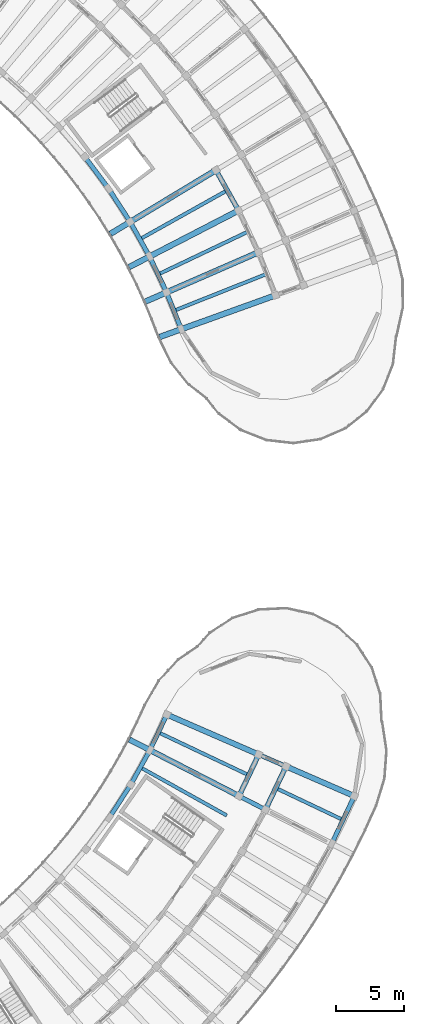
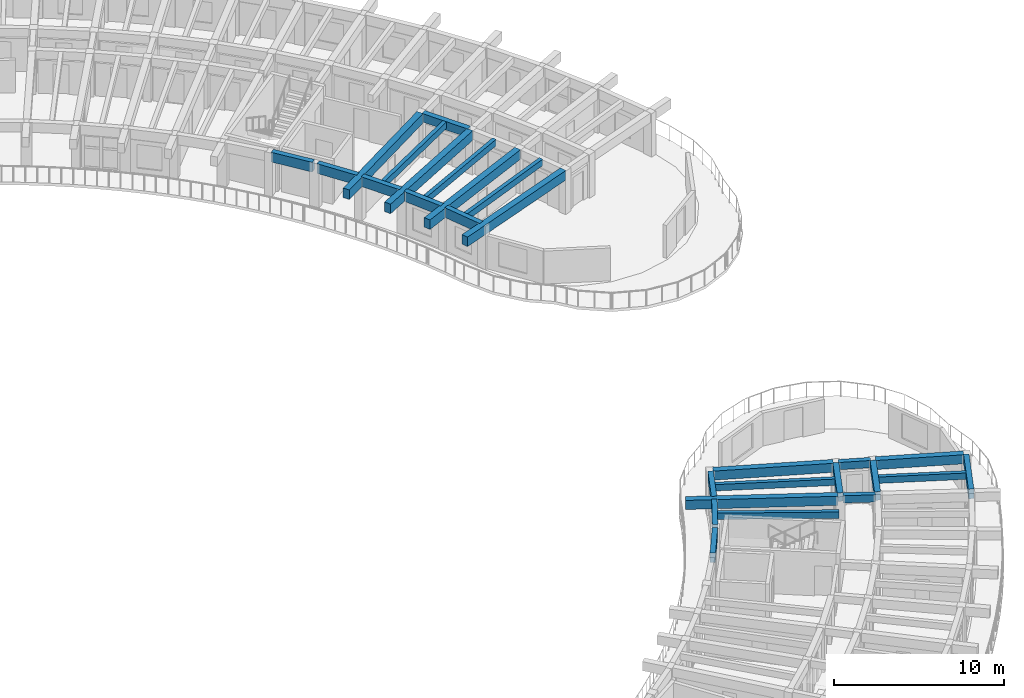
# One storey, part 25 of 83: 27 beams.
"""IFC4 building model written with IfcOpenShell, lengths in metres."""

from ifc_helpers import new_model, si_unit, direction, frame, origin, origin_2d, place, context, subcontext, project, spatial, rectangle, extrude, material, material_profile, profile_set, type_object, element, save


model = new_model("IFC4")

# Units and contexts
model_context = context("Model", 3, precision=1e-05, world=origin(), true_north=direction((0.0, 1.0)))
body_context = subcontext(model_context, "Body", "Model", "MODEL_VIEW")
ifc_project = project(units=[si_unit("LENGTHUNIT", "METRE"), si_unit("AREAUNIT", "SQUARE_METRE"), si_unit("VOLUMEUNIT", "CUBIC_METRE"), si_unit("PLANEANGLEUNIT", "RADIAN"), si_unit("MASSUNIT", "GRAM", prefix="KILO")], contexts=[model_context])

# Site, building, storey
site_placement = place(None, origin())
site = spatial("IfcSite", under=ifc_project, at=site_placement, CompositionType="ELEMENT")
building_placement = place(site_placement, origin())
building = spatial("IfcBuilding", under=site, at=building_placement, Name="Tanwirah Colonnade Gardens", CompositionType="ELEMENT")
storey_placement = place(building_placement, frame((0.0, 0.0, 25.639892578125)))
storey = spatial("IfcBuildingStorey", under=building, at=storey_placement, Name="L07", CompositionType="ELEMENT", Elevation=25.639892578125)

# Beams
ifc_material_1 = material(Name="Precast concrete C40/50", Category="concrete")
ifc_material_profile_1 = material_profile(ifc_material_1, rectangle(XDim=0.360107421875, YDim=0.610107421875, at=origin_2d()), Name="PC-BM 360x610")
ifc_profile_set_1 = profile_set([ifc_material_profile_1], Name="Precast concrete C40/50")
beam_type_1 = type_object("IfcBeamType", Name="BM-PC300", PredefinedType="BEAM", material=ifc_profile_set_1)
beam_1_placement = place(storey_placement, frame((167.159912109375, 40.894775390625, 2.80517578125), z_axis=(0.428520598641, 0.903532011907, 0.0), x_axis=(-0.903532011907, 0.428520598641, 0.0)))
element("IfcBeam", 1, at=beam_1_placement, inside=storey, type_object=beam_type_1, Name="Block D L07 Circumferential Beam 13-R1", PredefinedType="BEAM", context=body_context, shape_type="SweptSolid", body=[
    extrude(rectangle(XDim=0.360107421875, YDim=0.610107421875, at=origin_2d()), origin(), (0.0, 0.0, 1.0), 3.093017578125),
])
beam_2_placement = place(storey_placement, frame((169.11572265625, 39.887451171875, 2.80517578125), z_axis=(0.428562893949, 0.903511951183, 0.0), x_axis=(-0.903511951183, 0.428562893949, 0.0)))
element("IfcBeam", 2, at=beam_2_placement, inside=storey, type_object=beam_type_1, Name="Block D L07 Circumferential Beam 13-R2", PredefinedType="BEAM", context=body_context, shape_type="SweptSolid", body=[
    extrude(rectangle(XDim=0.360107421875, YDim=0.610107421875, at=origin_2d()), origin(), (0.0, 0.0, 1.0), 3.23681640625),
])
ifc_material_profile_2 = material_profile(ifc_material_1, rectangle(XDim=0.320068359375, YDim=0.52001953125, at=origin_2d()), Name="PC-BM 320x520")
ifc_profile_set_2 = profile_set([ifc_material_profile_2], Name="Precast concrete C40/50")
beam_type_2 = type_object("IfcBeamType", Name="BM-PC320", PredefinedType="BEAM", material=ifc_profile_set_2)
beam_3_placement = place(storey_placement, frame((167.22900390625, 40.690673828125, 2.85009765625), z_axis=(0.888965044602, -0.457975053334, 0.0), x_axis=(0.457975053334, 0.888965044602, 0.0)))
element("IfcBeam", 3, at=beam_3_placement, inside=storey, type_object=beam_type_2, Name="Block D L07 Corridor Tie Beam 13", PredefinedType="BEAM", context=body_context, shape_type="SweptSolid", body=[
    extrude(rectangle(XDim=0.320068359375, YDim=0.52001953125, at=origin_2d()), origin(), (0.0, 0.0, 1.0), 1.89990234375),
])
beam_4_placement = place(storey_placement, frame((168.68701171875, 43.76513671875, 2.85009765625), z_axis=(0.917025109963, -0.398829471952, 0.0), x_axis=(0.398829471952, 0.917025109963, 0.0)))
element("IfcBeam", 4, at=beam_4_placement, inside=storey, type_object=beam_type_2, Name="Block D L07 Corridor Tie Beam 14", PredefinedType="BEAM", context=body_context, shape_type="SweptSolid", body=[
    extrude(rectangle(XDim=0.320068359375, YDim=0.52001953125, at=origin_2d()), origin(), (0.0, 0.0, 1.0), 1.900146484375),
])
ifc_material_profile_3 = material_profile(ifc_material_1, rectangle(XDim=0.35009765625, YDim=0.60009765625, at=origin_2d()), Name="PC-BM 350x600")
ifc_profile_set_3 = profile_set([ifc_material_profile_3], Name="Precast concrete C40/50")
beam_type_3 = type_object("IfcBeamType", Name="BM-PC350B", PredefinedType="BEAM", material=ifc_profile_set_3)
beam_5_placement = place(storey_placement, frame((166.98779296875, 84.138671875, 2.81005859375), z_axis=(-0.488200372352, 0.872731571811, 0.0), x_axis=(-0.872731571811, -0.488200372352, 0.0)))
element("IfcBeam", 5, at=beam_5_placement, inside=storey, type_object=beam_type_3, Name="Block B L07 Circumferential Beam 3-R1", PredefinedType="BEAM", context=body_context, shape_type="SweptSolid", body=[
    extrude(rectangle(XDim=0.35009765625, YDim=0.60009765625, at=origin_2d()), origin(), (0.0, 0.0, 1.0), 3.117919921875),
])
ifc_material_2 = material(Name="Precast concrete C45/55", Category="concrete")
ifc_material_profile_4 = material_profile(ifc_material_2, rectangle(XDim=0.39990234375, YDim=0.64990234375, at=origin_2d()), Name="PC-BM 400x650")
ifc_profile_set_4 = profile_set([ifc_material_profile_4], Name="Precast concrete C45/55")
beam_type_4 = type_object("IfcBeamType", Name="BM-PC400", PredefinedType="BEAM", material=ifc_profile_set_4)
beam_6_placement = place(storey_placement, frame((166.962158203125, 40.827880859375, 2.78515625), z_axis=(-0.889022337846, 0.457863825619, 0.0), x_axis=(-0.457863825619, -0.889022337846, 0.0)))
element("IfcBeam", 6, at=beam_6_placement, inside=storey, type_object=beam_type_4, Name="Block D L07 Inner Radial Precast Girder 13", PredefinedType="BEAM", context=body_context, shape_type="SweptSolid", body=[
    extrude(rectangle(XDim=0.39990234375, YDim=0.64990234375, at=origin_2d()), origin(), (0.0, 0.0, 1.0), 8.949951171875),
])
beam_7_placement = place(storey_placement, frame((168.412109375, 43.884765625, 2.78515625), z_axis=(-0.917065682823, 0.398736170154, 0.0), x_axis=(-0.398736170154, -0.917065682823, 0.0)))
element("IfcBeam", 7, at=beam_7_placement, inside=storey, type_object=beam_type_4, Name="Block D L07 Inner Radial Precast Girder 14", PredefinedType="BEAM", context=body_context, shape_type="SweptSolid", body=[
    extrude(rectangle(XDim=0.39990234375, YDim=0.64990234375, at=origin_2d()), origin(), (0.0, 0.0, 1.0), 7.10009765625),
])
beam_8_placement = place(storey_placement, frame((170.70458984375, 42.8876953125, 2.78515625), z_axis=(0.917063338398, -0.398741562126, 0.0), x_axis=(0.398741562126, 0.917063338398, 0.0)))
element("IfcBeam", 8, at=beam_8_placement, inside=storey, type_object=beam_type_4, Name="Block D L07 Outer Radial Precast Girder 14", PredefinedType="BEAM", context=body_context, shape_type="SweptSolid", body=[
    extrude(rectangle(XDim=0.39990234375, YDim=0.64990234375, at=origin_2d()), origin(), (0.0, 0.0, 1.0), 5.2001953125),
])
ifc_material_profile_5 = material_profile(ifc_material_2, rectangle(XDim=0.419921875, YDim=0.679931640625, at=origin_2d()), Name="PC-BM 420x680")
ifc_profile_set_5 = profile_set([ifc_material_profile_5], Name="Precast concrete C45/55")
beam_type_5 = type_object("IfcBeamType", Name="BM-PC420", PredefinedType="BEAM", material=ifc_profile_set_5)
beam_9_placement = place(storey_placement, frame((169.650390625, 77.69384765625, 2.77001953125), z_axis=(-0.941017049702, -0.338359146723, 0.0), x_axis=(0.338359146723, -0.941017049702, 0.0)))
element("IfcBeam", 9, at=beam_9_placement, inside=storey, type_object=beam_type_5, Name="Block B L07 Inner Radial Precast Girder 1", PredefinedType="BEAM", context=body_context, shape_type="SweptSolid", body=[
    extrude(rectangle(XDim=0.419921875, YDim=0.679931640625, at=origin_2d()), origin(), (0.0, 0.0, 1.0), 8.949951171875),
])
beam_10_placement = place(storey_placement, frame((168.39208984375, 80.861328125, 2.77001953125), z_axis=(-0.916669317869, -0.399646545934, 0.0), x_axis=(0.399646545934, -0.916669317869, 0.0)))
element("IfcBeam", 10, at=beam_10_placement, inside=storey, type_object=beam_type_5, Name="Block B L07 Inner Radial Precast Girder 2", PredefinedType="BEAM", context=body_context, shape_type="SweptSolid", body=[
    extrude(rectangle(XDim=0.419921875, YDim=0.679931640625, at=origin_2d()), origin(), (0.0, 0.0, 1.0), 8.9501953125),
])
beam_11_placement = place(storey_placement, frame((166.927734375, 83.93896484375, 2.77001953125), z_axis=(-0.888345427876, -0.459175784175, 0.0), x_axis=(0.459175784175, -0.888345427876, 0.0)))
element("IfcBeam", 11, at=beam_11_placement, inside=storey, type_object=beam_type_5, Name="Block B L07 Inner Radial Precast Girder 3", PredefinedType="BEAM", context=body_context, shape_type="SweptSolid", body=[
    extrude(rectangle(XDim=0.419921875, YDim=0.679931640625, at=origin_2d()), origin(), (0.0, 0.0, 1.0), 8.949951171875),
])
beam_12_placement = place(storey_placement, frame((165.263916015625, 86.913330078125, 2.77001953125), z_axis=(-0.856168728297, -0.516696340887, 0.0), x_axis=(0.516696340887, -0.856168728297, 0.0)))
element("IfcBeam", 12, at=beam_12_placement, inside=storey, type_object=beam_type_5, Name="Block B L07 Inner Radial Precast Girder 4", PredefinedType="BEAM", context=body_context, shape_type="SweptSolid", body=[
    extrude(rectangle(XDim=0.419921875, YDim=0.679931640625, at=origin_2d()), origin(), (0.0, 0.0, 1.0), 8.9501953125),
])
ifc_material_profile_6 = material_profile(ifc_material_1, rectangle(XDim=0.2548828125, YDim=0.455078125, at=origin_2d()), Name="PC-JST 255x455")
ifc_profile_set_6 = profile_set([ifc_material_profile_6], Name="Precast concrete C40/50")
beam_type_6 = type_object("IfcBeamType", Name="JST-PC240", PredefinedType="JOIST", material=ifc_profile_set_6)
beam_13_placement = place(storey_placement, frame((159.9345703125, 42.80712890625, 2.882568359375), z_axis=(0.873559899034, -0.486716655561, 0.0), x_axis=(0.486716655561, 0.873559899034, 0.0)))
element("IfcBeam", 13, at=beam_13_placement, inside=storey, type_object=beam_type_6, Name="Block D L07 Inner Precast Floor Joist 12", PredefinedType="JOIST", context=body_context, shape_type="SweptSolid", body=[
    extrude(rectangle(XDim=0.2548828125, YDim=0.455078125, at=origin_2d()), origin(), (0.0, 0.0, 1.0), 7.159912109375),
])
beam_14_placement = place(storey_placement, frame((169.94384765625, 41.285888671875, 2.882568359375), z_axis=(0.903517509842, -0.428551174785, 0.0), x_axis=(0.428551174785, 0.903517509842, 0.0)))
element("IfcBeam", 14, at=beam_14_placement, inside=storey, type_object=beam_type_6, Name="Block D L07 Precast Floor Joist 13", PredefinedType="JOIST", context=body_context, shape_type="SweptSolid", body=[
    extrude(rectangle(XDim=0.2548828125, YDim=0.455078125, at=origin_2d()), origin(), (0.0, 0.0, 1.0), 5.260009765625),
])
beam_15_placement = place(storey_placement, frame((161.27001953125, 45.39990234375, 2.882568359375), z_axis=(0.903522492189, -0.428540670308, 0.0), x_axis=(0.428540670308, 0.903522492189, 0.0)))
element("IfcBeam", 15, at=beam_15_placement, inside=storey, type_object=beam_type_6, Name="Block D L07 Inner Precast Floor Joist 13", PredefinedType="JOIST", context=body_context, shape_type="SweptSolid", body=[
    extrude(rectangle(XDim=0.2548828125, YDim=0.455078125, at=origin_2d()), origin(), (0.0, 0.0, 1.0), 7.159912109375),
])
ifc_material_profile_7 = material_profile(ifc_material_1, rectangle(XDim=0.260009765625, YDim=0.4599609375, at=origin_2d()), Name="PC-JST 260x460")
ifc_profile_set_7 = profile_set([ifc_material_profile_7], Name="Precast concrete C40/50")
beam_type_7 = type_object("IfcBeamType", Name="JST-PC260", PredefinedType="JOIST", material=ifc_profile_set_7)
for number, where, z_axis, x_axis, name in (
    (16, (162.4208984375, 76.655517578125, 2.880126953125), (0.929348880779, 0.369202732649, 0.0), (-0.369202732649, 0.929348880779, 0.0), "Block B L07 Inner Precast Floor Joist 1"),
    (17, (161.246826171875, 79.348876953125, 2.880126953125), (0.903005429363, 0.429629136048, 0.0), (-0.429629136048, 0.903005429363, 0.0), "Block B L07 Inner Precast Floor Joist 2"),
    (18, (159.897705078125, 81.958984375, 2.880126953125), (0.872726875563, 0.488208767506, 0.0), (-0.488208767506, 0.872726875563, 0.0), "Block B L07 Inner Precast Floor Joist 3"),
):
    element("IfcBeam", number, at=place(storey_placement, frame(where, z_axis=z_axis, x_axis=x_axis)), inside=storey, type_object=beam_type_7, Name=name, PredefinedType="JOIST", context=body_context, shape_type="SweptSolid", body=[
        extrude(rectangle(XDim=0.260009765625, YDim=0.4599609375, at=origin_2d()), origin(), (0.0, 0.0, 1.0), 7.16015625),
    ])
ifc_material_profile_8 = material_profile(ifc_material_1, rectangle(XDim=0.324951171875, YDim=0.68505859375, at=origin_2d()), Name="PC-SP 325x685")
ifc_profile_set_8 = profile_set([ifc_material_profile_8], Name="Precast concrete C40/50")
beam_type_8 = type_object("IfcBeamType", Name="SP-PC260", PredefinedType="SPANDREL", material=ifc_profile_set_8)
beam_16_placement = place(storey_placement, frame((157.603515625, 39.28955078125, 2.767578125), z_axis=(0.542874837406, 0.83981361677, 0.0), x_axis=(-0.83981361677, 0.542874837406, 0.0)))
element("IfcBeam", 19, at=beam_16_placement, inside=storey, type_object=beam_type_8, Name="Block D L07 Circumferential Beam 11-R0", PredefinedType="SPANDREL", context=body_context, shape_type="SweptSolid", body=[
    extrude(rectangle(XDim=0.324951171875, YDim=0.68505859375, at=origin_2d()), origin(), (0.0, 0.0, 1.0), 2.60888671875),
])
beam_17_placement = place(storey_placement, frame((159.174072265625, 41.737548828125, 2.767578125), z_axis=(0.486747049114, 0.873542964129, 0.0), x_axis=(-0.873542964129, 0.486747049114, 0.0)))
element("IfcBeam", 20, at=beam_17_placement, inside=storey, type_object=beam_type_8, Name="Block D L07 Circumferential Beam 12-R0", PredefinedType="SPANDREL", context=body_context, shape_type="SweptSolid", body=[
    extrude(rectangle(XDim=0.324951171875, YDim=0.68505859375, at=origin_2d()), origin(), (0.0, 0.0, 1.0), 2.608642578125),
])
beam_18_placement = place(storey_placement, frame((160.5810546875, 44.282958984375, 2.767578125), z_axis=(0.428512709915, 0.903535753272, 0.0), x_axis=(-0.903535753272, 0.428512709915, 0.0)))
element("IfcBeam", 21, at=beam_18_placement, inside=storey, type_object=beam_type_8, Name="Block D L07 Circumferential Beam 13-R0", PredefinedType="SPANDREL", context=body_context, shape_type="SweptSolid", body=[
    extrude(rectangle(XDim=0.324951171875, YDim=0.68505859375, at=origin_2d()), origin(), (0.0, 0.0, 1.0), 2.60888671875),
])
beam_19_placement = place(storey_placement, frame((174.00537109375, 37.369140625, 2.767578125), z_axis=(0.428518139447, 0.903533178231, 0.0), x_axis=(-0.903533178231, 0.428518139447, 0.0)))
element("IfcBeam", 22, at=beam_19_placement, inside=storey, type_object=beam_type_8, Name="Block D L07 Circumferential Beam 13-R3", PredefinedType="SPANDREL", context=body_context, shape_type="SweptSolid", body=[
    extrude(rectangle(XDim=0.324951171875, YDim=0.68505859375, at=origin_2d()), origin(), (0.0, 0.0, 1.0), 3.5966796875),
])
ifc_material_profile_9 = material_profile(ifc_material_1, rectangle(XDim=0.3349609375, YDim=0.695068359375, at=origin_2d()), Name="PC-SP 335x695")
ifc_profile_set_9 = profile_set([ifc_material_profile_9], Name="Precast concrete C40/50")
beam_type_9 = type_object("IfcBeamType", Name="SP-PC300", PredefinedType="SPANDREL", material=ifc_profile_set_9)
beam_20_placement = place(storey_placement, frame((162.772705078125, 75.380126953125, 2.7626953125), z_axis=(-0.369245181709, 0.929332015904, 0.0), x_axis=(-0.929332015904, -0.369245181709, 0.0)))
element("IfcBeam", 23, at=beam_20_placement, inside=storey, type_object=beam_type_9, Name="Block B L07 Circumferential Beam 1-R0", PredefinedType="SPANDREL", context=body_context, shape_type="SweptSolid", body=[
    extrude(rectangle(XDim=0.3349609375, YDim=0.695068359375, at=origin_2d()), origin(), (0.0, 0.0, 1.0), 2.630126953125),
])
beam_21_placement = place(storey_placement, frame((161.681640625, 78.099365234375, 2.7626953125), z_axis=(-0.42964173036, 0.902999437172, 0.0), x_axis=(-0.902999437172, -0.42964173036, 0.0)))
element("IfcBeam", 24, at=beam_21_placement, inside=storey, type_object=beam_type_9, Name="Block B L07 Circumferential Beam 2-R0", PredefinedType="SPANDREL", context=body_context, shape_type="SweptSolid", body=[
    extrude(rectangle(XDim=0.3349609375, YDim=0.695068359375, at=origin_2d()), origin(), (0.0, 0.0, 1.0), 2.63037109375),
])
beam_22_placement = place(storey_placement, frame((160.413818359375, 80.740966796875, 2.7626953125), z_axis=(-0.488170837957, 0.872748092503, 0.0), x_axis=(-0.872748092503, -0.488170837957, 0.0)))
element("IfcBeam", 25, at=beam_22_placement, inside=storey, type_object=beam_type_9, Name="Block B L07 Circumferential Beam 3-R0", PredefinedType="SPANDREL", context=body_context, shape_type="SweptSolid", body=[
    extrude(rectangle(XDim=0.3349609375, YDim=0.695068359375, at=origin_2d()), origin(), (0.0, 0.0, 1.0), 2.630126953125),
])
for number, where, z_axis, x_axis, name in (
    (26, (158.974853515625, 83.29296875, 2.7626953125), (-0.544570677829, 0.838714955661, 0.0), (-0.838714955661, -0.544570677829, 0.0), "Block B L07 Circumferential Beam 4-R0"),
    (27, (157.370849609375, 85.744873046875, 2.7626953125), (-0.598662613551, 0.80100129534, 0.0), (-0.80100129534, -0.598662613551, 0.0), "Block B L07 Circumferential Beam 5-R0"),
):
    element("IfcBeam", number, at=place(storey_placement, frame(where, z_axis=z_axis, x_axis=x_axis)), inside=storey, type_object=beam_type_9, Name=name, PredefinedType="SPANDREL", context=body_context, shape_type="SweptSolid", body=[
        extrude(rectangle(XDim=0.3349609375, YDim=0.695068359375, at=origin_2d()), origin(), (0.0, 0.0, 1.0), 2.63037109375),
    ])

save(model, "model.ifc")
